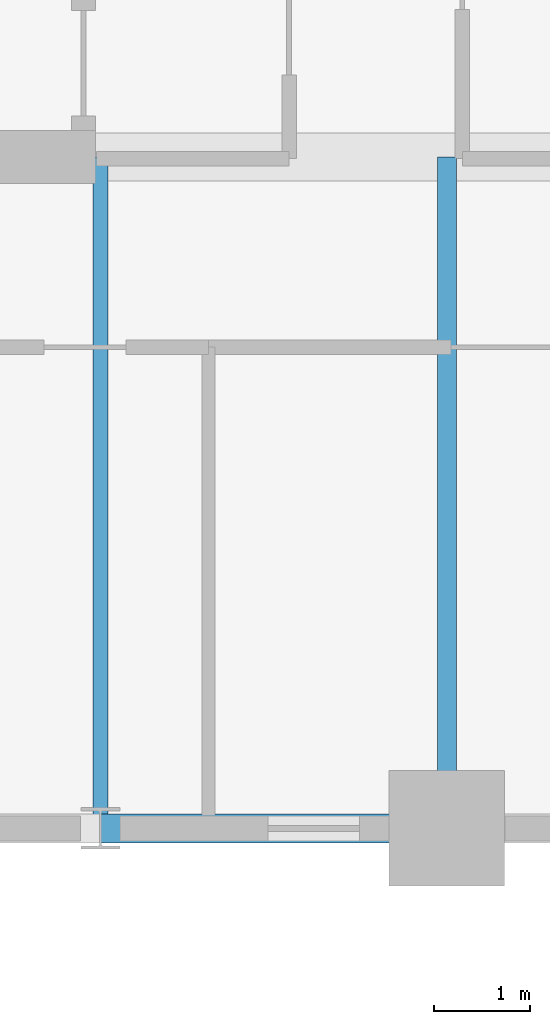
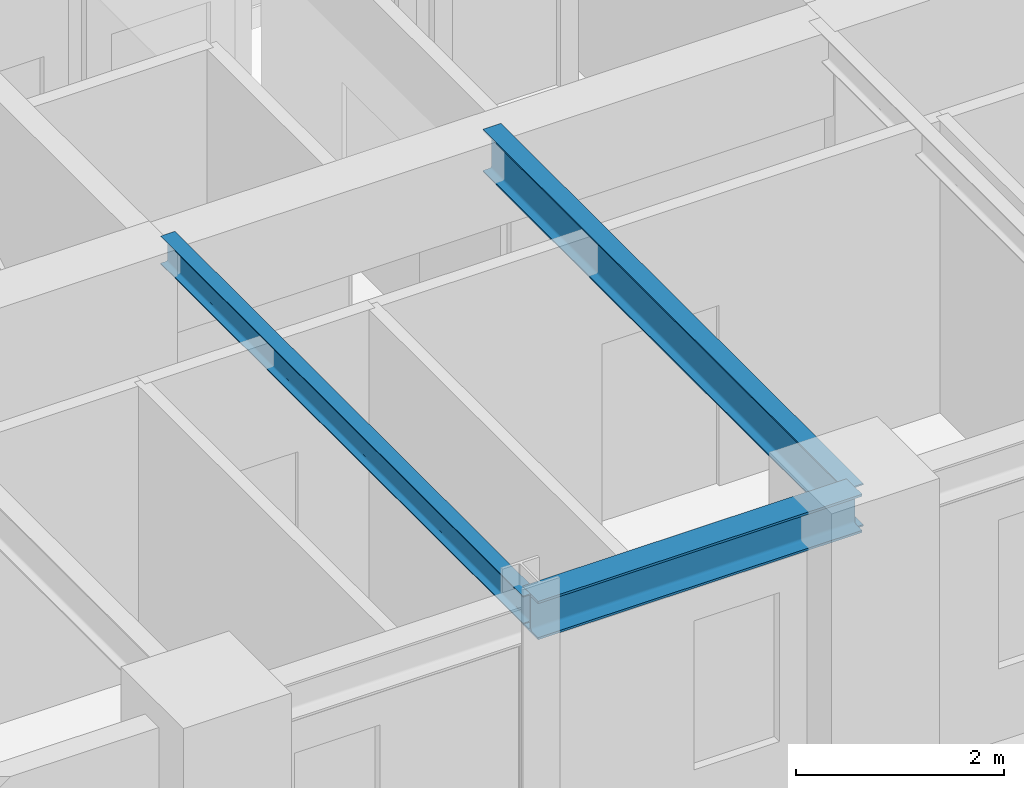
# One storey, part 3 of 18: 3 beams.
"""IFC4 building model written with IfcOpenShell, lengths in metres."""

from ifc_helpers import new_model, si_unit, direction, frame, origin, origin_2d, place, context, subcontext, project, spatial, i_section, extrude, source, transform, mapped, material, material_profile, profile_set, type_object, element, save


model = new_model("IFC4")

# Units and contexts
model_context = context("Model", 3, precision=1e-05, world=origin(), true_north=direction((0.0, 1.0)))
body_context = subcontext(model_context, "Body", "Model", "MODEL_VIEW")
ifc_project = project(units=[si_unit("LENGTHUNIT", "METRE"), si_unit("AREAUNIT", "SQUARE_METRE"), si_unit("VOLUMEUNIT", "CUBIC_METRE"), si_unit("PLANEANGLEUNIT", "RADIAN"), si_unit("MASSUNIT", "GRAM", prefix="KILO")], contexts=[model_context])

# Site, building, storey
site_placement = place(None, origin())
site = spatial("IfcSite", under=ifc_project, at=site_placement, CompositionType="ELEMENT")
building_placement = place(site_placement, origin())
building = spatial("IfcBuilding", under=site, at=building_placement, Name="Kaliganga Portal Commons", CompositionType="ELEMENT")
storey_placement = place(building_placement, frame((0.0, 0.0, 123.0)))
storey = spatial("IfcBuildingStorey", under=building, at=storey_placement, Name="L31", CompositionType="ELEMENT", Elevation=123.0)

# Beams
ifc_material = material(Name="Structural steel S355J2", Category="steel")
ifc_material_profile_1 = material_profile(ifc_material, i_section(OverallWidth=0.199951171875, OverallDepth=0.5, WebThickness=0.01025390625, FlangeThickness=0.01611328125, FilletRadius=0.02099609375, at=origin_2d()), Name="IPE 500")
ifc_profile_set_1 = profile_set([ifc_material_profile_1], Name="Structural steel S355J2 wide-flange")
beam_type_1 = type_object("IfcBeamType", Name="BM-FLR-500", PredefinedType="BEAM", material=ifc_profile_set_1)
shared_shape_1 = source(origin(), body_context, "Body", "SweptSolid", [
    extrude(i_section(OverallWidth=0.199951171875, OverallDepth=0.5, WebThickness=0.01025390625, FlangeThickness=0.01611328125, FilletRadius=0.02099609375, at=origin_2d()), origin(), (0.0, 0.0, 1.0), 6.974853515625),
])
beam_1_placement = place(storey_placement, frame((21.60009765625, 21.60009765625, 3.199951171875), z_axis=(0.0, 1.0, 0.0), x_axis=(-1.0, 0.0, 0.0)))
element("IfcBeam", 1, at=beam_1_placement, inside=storey, type_object=beam_type_1, Name="BM G L31 AS216", PredefinedType="BEAM", context=body_context, shape_type="MappedRepresentation", body=[
    mapped(shared_shape_1, transform((0.0, 0.0, 0.0), x_axis=(1.0, 0.0, 0.0), y_axis=(0.0, 1.0, 0.0), z_axis=(0.0, 0.0, 1.0), scale=1.0)),
])
ifc_material_profile_2 = material_profile(ifc_material, i_section(OverallWidth=0.300048828125, OverallDepth=0.449951171875, WebThickness=0.013916015625, FlangeThickness=0.02587890625, FilletRadius=0.027099609375, at=origin_2d()), Name="HE 450 B")
ifc_profile_set_2 = profile_set([ifc_material_profile_2], Name="Structural steel S355J2 wide-flange")
beam_type_2 = type_object("IfcBeamType", Name="BM-SPAND-450", PredefinedType="SPANDREL", material=ifc_profile_set_2)
shared_shape_2 = source(origin(), body_context, "Body", "SweptSolid", [
    extrude(i_section(OverallWidth=0.300048828125, OverallDepth=0.449951171875, WebThickness=0.013916015625, FlangeThickness=0.02587890625, FilletRadius=0.027099609375, at=origin_2d()), origin(), (0.0, 0.0, 1.0), 3.60009765625),
])
beam_2_placement = place(storey_placement, frame((18.0, 21.60009765625, 3.22509765625), z_axis=(1.0, 0.0, 0.0), x_axis=(0.0, 1.0, 0.0)))
element("IfcBeam", 2, at=beam_2_placement, inside=storey, type_object=beam_type_2, Name="BM SP L31 AS 2", PredefinedType="SPANDREL", context=body_context, shape_type="MappedRepresentation", body=[
    mapped(shared_shape_2, transform((0.0, 0.0, 0.0), x_axis=(1.0, 0.0, 0.0), y_axis=(0.0, 1.0, 0.0), z_axis=(0.0, 0.0, 1.0), scale=1.0)),
])
ifc_material_profile_3 = material_profile(ifc_material, i_section(OverallWidth=0.159912109375, OverallDepth=0.330078125, WebThickness=0.007568359375, FlangeThickness=0.011474609375, FilletRadius=0.01806640625, at=origin_2d()), Name="IPE 330")
ifc_profile_set_3 = profile_set([ifc_material_profile_3], Name="Structural steel S355J2 wide-flange")
beam_type_3 = type_object("IfcBeamType", Name="BM-JST-330", PredefinedType="JOIST", material=ifc_profile_set_3)
shared_shape_3 = source(origin(), body_context, "Body", "SweptSolid", [
    extrude(i_section(OverallWidth=0.159912109375, OverallDepth=0.330078125, WebThickness=0.007568359375, FlangeThickness=0.011474609375, FilletRadius=0.01806640625, at=origin_2d()), origin(), (0.0, 0.0, 1.0), 6.974853515625),
])
beam_3_placement = place(storey_placement, frame((18.0, 21.60009765625, 3.284912109375), z_axis=(0.0, 1.0, 0.0), x_axis=(-1.0, 0.0, 0.0)))
element("IfcBeam", 3, at=beam_3_placement, inside=storey, type_object=beam_type_3, Name="BM G L31 AS180", PredefinedType="JOIST", context=body_context, shape_type="MappedRepresentation", body=[
    mapped(shared_shape_3, transform((0.0, 0.0, 0.0), x_axis=(1.0, 0.0, 0.0), y_axis=(0.0, 1.0, 0.0), z_axis=(0.0, 0.0, 1.0), scale=1.0)),
])

save(model, "model.ifc")
